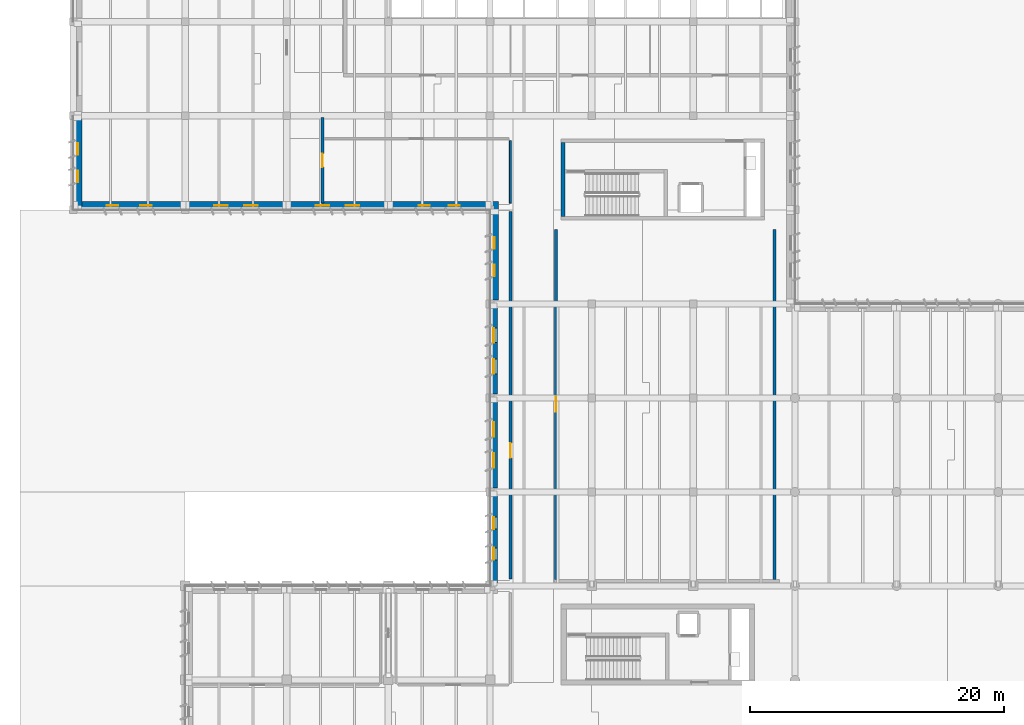
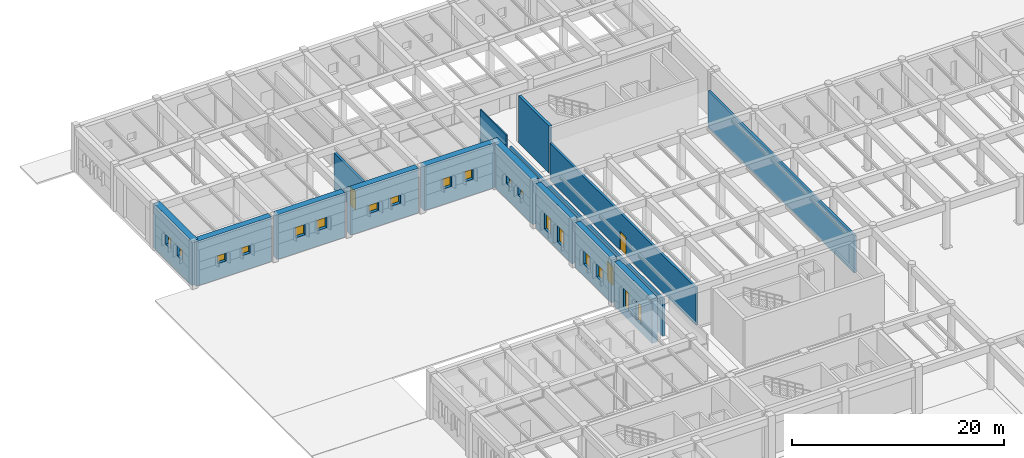
# One storey, part 21 of 56: 18 windows, 15 walls, 3 doors, 21 openings.
"""IFC4 building model written with IfcOpenShell, lengths in metres."""

import ifcopenshell
import ifcopenshell.guid

model = None  # the IFC model being written
_history = None  # IfcOwnerHistory: only IFC2X3 demands one
_inside = {}  # id of a spatial element -> (the spatial element, [elements in it])
_under = {}  # id of a project, library or spatial element -> (it, [spatial elements below it])
_declared = {}  # id of a project -> (the project, [libraries it declares])
_typed = {}  # id of a type object -> (the type object, [elements of that type])
_made_of = {}  # id of a material, layer set ... -> (it, [elements and type objects made of it])


def new_model(schema):
    """Start an empty IFC model of exactly this schema.

    Asked for "IFC4X3", IfcOpenShell would pick the latest addendum, in which some entities
    have other attributes; the version numbers below select the first issue.
    IFC2X3 requires an IfcOwnerHistory on every rooted entity: one is made here for all.
    """
    global model, _history
    if schema == "IFC4X3":
        model = ifcopenshell.file(schema_version=(4, 3, 0, 0))
    else:
        model = ifcopenshell.file(schema=schema)
    _inside.clear()
    _under.clear()
    _declared.clear()
    _typed.clear()
    _made_of.clear()
    _history = None
    if model.schema == "IFC2X3":
        org = make("IfcOrganization", Name="unknown")
        user = make(
            "IfcPersonAndOrganization",
            ThePerson=make("IfcPerson", FamilyName="unknown"),
            TheOrganization=org,
        )
        app = make(
            "IfcApplication",
            ApplicationDeveloper=org,
            Version="unknown",
            ApplicationFullName="unknown",
            ApplicationIdentifier="unknown",
        )
        _history = make(
            "IfcOwnerHistory",
            OwningUser=user,
            OwningApplication=app,
            ChangeAction="ADDED",
            CreationDate=0,
        )
    return model


def make(cls, **values):
    """One entity of the class cls with the attributes given. An attribute that is None is left unset."""
    return model.create_entity(
        cls, **{name: value for name, value in values.items() if value is not None}
    )


def rooted(cls, **values):
    """An entity with a GlobalId (a new one), such as an element, a storey or a relation."""
    return make(cls, GlobalId=ifcopenshell.guid.new(), OwnerHistory=_history, **values)


def si_unit(unit_type, name, prefix=None):
    """IfcSIUnit, for example si_unit("LENGTHUNIT", "METRE", prefix="MILLI")."""
    return make("IfcSIUnit", UnitType=unit_type, Prefix=prefix, Name=name)


def assignment(units):
    """IfcUnitAssignment: the units of a project."""
    return None if units is None else make("IfcUnitAssignment", Units=units)


def point(xyz):
    """IfcCartesianPoint."""
    return None if xyz is None else make("IfcCartesianPoint", Coordinates=xyz)


def direction(xyz):
    """IfcDirection."""
    return None if xyz is None else make("IfcDirection", DirectionRatios=xyz)


def frame(location, z_axis=None, x_axis=None):
    """IfcAxis2Placement3D, a coordinate frame: its origin and axes. An axis left out is left unset."""
    return make(
        "IfcAxis2Placement3D",
        Location=point(location),
        Axis=direction(z_axis),
        RefDirection=direction(x_axis),
    )


def frame_2d(location, x_axis=None):
    """IfcAxis2Placement2D, a coordinate frame in the plane: its origin and x axis."""
    return make(
        "IfcAxis2Placement2D", Location=point(location), RefDirection=direction(x_axis)
    )


def origin():
    """The frame at (0, 0, 0) with its axes left unset."""
    return frame((0.0, 0.0, 0.0))


def place(relative_to, where):
    """IfcLocalPlacement: puts the frame where relative to a parent placement (None: the world)."""
    return make(
        "IfcLocalPlacement", PlacementRelTo=relative_to, RelativePlacement=where
    )


def context(
    kind, dimensions, precision=None, world=None, true_north=None, identifier=None
):
    """IfcGeometricRepresentationContext, for example the 3D "Model" context."""
    return make(
        "IfcGeometricRepresentationContext",
        ContextIdentifier=identifier,
        ContextType=kind,
        CoordinateSpaceDimension=dimensions,
        Precision=precision,
        WorldCoordinateSystem=world,
        TrueNorth=true_north,
    )


def subcontext(parent, identifier, kind, view, scale=None):
    """IfcGeometricRepresentationSubContext, for example "Body" below "Model"."""
    return make(
        "IfcGeometricRepresentationSubContext",
        ContextIdentifier=identifier,
        ContextType=kind,
        ParentContext=parent,
        TargetScale=scale,
        TargetView=view,
    )


def project(units=None, contexts=None):
    """IfcProject with its units and contexts."""
    return rooted(
        "IfcProject",
        Name="project",
        RepresentationContexts=contexts,
        UnitsInContext=assignment(units),
    )


def spatial(cls, under=None, at=None, **own):
    """A site, building, storey or space (cls), placed at a placement, below another one or the project."""
    s = rooted(cls, ObjectPlacement=at, **own)
    if under is not None:
        _under.setdefault(under.id(), (under, []))[1].append(s)
    return s


def profile(cls, at=None, kind="AREA", **sizes):
    """A parametric profile (cls). Its sizes go by their IFC names, for example OverallWidth=200.0."""
    return make(cls, ProfileType=kind, Position=at, **sizes)


def rectangle(**sizes):
    """IfcRectangleProfileDef."""
    return profile("IfcRectangleProfileDef", **sizes)


def extrude(swept, where, along, depth):
    """IfcExtrudedAreaSolid: the profile swept, set in the frame where, extruded along a direction by depth."""
    return make(
        "IfcExtrudedAreaSolid",
        SweptArea=swept,
        Position=where,
        ExtrudedDirection=direction(along),
        Depth=depth,
    )


def shape(context_of_items, identifier, shape_type, items):
    """IfcShapeRepresentation: the items that make up one representation, for example the "Body"."""
    return make(
        "IfcShapeRepresentation",
        ContextOfItems=context_of_items,
        RepresentationIdentifier=identifier,
        RepresentationType=shape_type,
        Items=items,
    )


def material(Name=None, Category=None):
    """IfcMaterial."""
    return make("IfcMaterial", Name=Name, Category=Category)


def layer(
    of_material, thickness, ventilated=None, Name=None, Category=None, Priority=None
):
    """IfcMaterialLayer: one layer of a wall or slab, of a material (None: an air gap)."""
    return make(
        "IfcMaterialLayer",
        Material=of_material,
        LayerThickness=thickness,
        IsVentilated=ventilated,
        Name=Name,
        Category=Category,
        Priority=Priority,
    )


def layer_set(layers, Name=None):
    """IfcMaterialLayerSet."""
    return make("IfcMaterialLayerSet", MaterialLayers=layers, LayerSetName=Name)


def made_of(thing, what):
    """Note that an element or type object is made of a material, layer set ...; save() writes the relation."""
    if what is not None:
        _made_of.setdefault(what.id(), (what, []))[1].append(thing)
    return thing


def type_object(cls, material=None, **own):
    """A type object (cls), such as IfcWallType, which elements share."""
    return made_of(rooted(cls, **own), material)


def element(
    cls,
    number,
    at=None,
    inside=None,
    cuts=None,
    type_object=None,
    material=None,
    context=None,
    identifier="Body",
    shape_type=None,
    held_by="IfcProductDefinitionShape",
    body=None,
    shapes=None,
    **own,
):
    """One element of the class cls, such as IfcWall. Its Tag is "e" and its number.

    at: its placement. inside: the storey or other place that contains it. cuts: it is an
    opening in that element (IfcRelVoidsElement). A single representation is given by context,
    identifier, shape_type and body (its items); several are given by shapes. held_by: the class
    of the entity that holds the representations. save() writes the other relations.
    """
    e = rooted(cls, Tag="e%d" % number, ObjectPlacement=at, **own)
    if body is not None:
        shapes = [shape(context, identifier, shape_type, body)]
    if shapes is not None:
        e.Representation = make(held_by, Representations=shapes)
    if inside is not None:
        _inside.setdefault(inside.id(), (inside, []))[1].append(e)
    if cuts is not None:
        rooted(
            "IfcRelVoidsElement", RelatingBuildingElement=cuts, RelatedOpeningElement=e
        )
    if type_object is not None:
        _typed.setdefault(type_object.id(), (type_object, []))[1].append(e)
    return made_of(e, material)


def fill(opening, filler):
    """IfcRelFillsElement: the door or window that sits in an opening."""
    return rooted(
        "IfcRelFillsElement",
        RelatingOpeningElement=opening,
        RelatedBuildingElement=filler,
    )


def aggregate(whole, parts):
    """IfcRelAggregates: a whole, such as a stair, and the parts it consists of."""
    return rooted("IfcRelAggregates", RelatingObject=whole, RelatedObjects=parts)


def save(model, path):
    """Write the relations noted so far, then the file.

    IfcRelAggregates (storeys below a building ...), IfcRelContainedInSpatialStructure (elements
    in a storey), IfcRelDefinesByType, IfcRelAssociatesMaterial and IfcRelDeclares: one each for
    every whole, place, type object, material and project.
    """
    for whole, parts in _under.values():
        aggregate(whole, parts)
    for where, things in _inside.values():
        rooted(
            "IfcRelContainedInSpatialStructure",
            RelatedElements=things,
            RelatingStructure=where,
        )
    for kind, things in _typed.values():
        rooted("IfcRelDefinesByType", RelatedObjects=things, RelatingType=kind)
    for what, things in _made_of.values():
        rooted("IfcRelAssociatesMaterial", RelatedObjects=things, RelatingMaterial=what)
    for by, libraries in _declared.values():
        rooted("IfcRelDeclares", RelatingContext=by, RelatedDefinitions=libraries)
    model.write(path)


model = new_model("IFC4")

# Units and contexts
model_context = context("Model", 3, precision=1e-05, world=origin(), true_north=direction((0.0, 1.0)))
body_context = subcontext(model_context, "Body", "Model", "MODEL_VIEW")
ifc_project = project(units=[si_unit("LENGTHUNIT", "METRE"), si_unit("AREAUNIT", "SQUARE_METRE"), si_unit("VOLUMEUNIT", "CUBIC_METRE"), si_unit("PLANEANGLEUNIT", "RADIAN"), si_unit("MASSUNIT", "GRAM", prefix="KILO")], contexts=[model_context])

# Site, building, storey
site_placement = place(None, origin())
site = spatial("IfcSite", under=ifc_project, at=site_placement, CompositionType="ELEMENT")
building_placement = place(site_placement, origin())
building = spatial("IfcBuilding", under=site, at=building_placement, Name="Valkorina Park Police Headquarters", CompositionType="ELEMENT")
storey_placement = place(building_placement, origin())
storey = spatial("IfcBuildingStorey", under=building, at=storey_placement, Name="L01", CompositionType="ELEMENT", Elevation=0.0)

# Walls
ifc_material_1 = material(Name="Acoustic mineral board")
ifc_layer_1 = layer(ifc_material_1, 0.14990234375)
ifc_layer_set_1 = layer_set([ifc_layer_1], Name="Acoustic mineral board")
wall_type_1 = type_object("IfcWallType", Name="WL-ACOUST-150-EI30", PredefinedType="PARTITIONING", material=ifc_layer_set_1)
wall_1_placement = place(storey_placement, frame((34.39990234375, 89.340087890625, 0.0), z_axis=(0.0, 0.0, 1.0), x_axis=(0.0, 1.0, 0.0)))
element("IfcWall", 1, at=wall_1_placement, inside=storey, type_object=wall_type_1, Name="L01 Interior Partition 0079 (L01-CUS-05)", PredefinedType="PARTITIONING", context=body_context, shape_type="SweptSolid", body=[
    extrude(rectangle(XDim=4.919921875, YDim=0.14990234375, at=frame_2d((2.4599609375, 0.0))), origin(), (0.0, 0.0, 1.0), 5.139892578125),
])
ifc_material_2 = material(Name="Concrete C40/50", Category="concrete")
ifc_layer_2 = layer(ifc_material_2, 0.300048828125)
ifc_layer_set_2 = layer_set([ifc_layer_2], Name="Concrete C40/50")
wall_type_2 = type_object("IfcWallType", Name="WL-CORE-300-REI120", PredefinedType="SHEAR", material=ifc_layer_set_2)
wall_2_placement = place(storey_placement, frame((38.550048828125, 88.300048828125, 0.0), z_axis=(0.0, 0.0, 1.0), x_axis=(0.0, 1.0, 0.0)))
element("IfcWall", 2, at=wall_2_placement, inside=storey, type_object=wall_type_2, Name="Core C4 L01 Shear Wall W", PredefinedType="SHEAR", context=body_context, shape_type="SweptSolid", body=[
    extrude(rectangle(XDim=5.800048828125, YDim=0.300048828125, at=frame_2d((2.89990234375, 0.0))), origin(), (0.0, 0.0, 1.0), 5.39501953125),
])

# Wall, opening, door
ifc_layer_3 = layer(ifc_material_2, 0.25)
ifc_layer_set_3 = layer_set([ifc_layer_3], Name="Concrete C40/50")
wall_type_3 = type_object("IfcWallType", Name="WL-CUST-250-REI120", PredefinedType="SOLIDWALL", material=ifc_layer_set_3)
wall_3_placement = place(storey_placement, frame((19.60009765625, 89.340087890625, 0.0), z_axis=(0.0, 0.0, 1.0), x_axis=(0.0, 1.0, 0.0)))
wall_3 = element("IfcWall", 3, at=wall_3_placement, inside=storey, type_object=wall_type_3, Name="L01 Interior Partition 0077 (L01-CUS-04)", PredefinedType="SOLIDWALL", context=body_context, shape_type="SweptSolid", body=[
    extrude(rectangle(XDim=6.719970703125, YDim=0.25, at=frame_2d((3.35986328125, 0.0))), origin(), (0.0, 0.0, 1.0), 4.27001953125),
])
opening_1_placement = place(wall_3_placement, frame((2.8349609375, 0.0, 0.0)))
opening_1 = element("IfcOpeningElement", 4, at=opening_1_placement, cuts=wall_3, Name="Opening FD-01", PredefinedType="OPENING", context=body_context, shape_type="SweptSolid", body=[
    extrude(rectangle(XDim=1.050048828125, YDim=2.14990234375, at=frame_2d((0.52490234375, 1.074951171875))), frame((0.0, 0.135009765625, 0.0), z_axis=(0.0, -1.0, 0.0), x_axis=(1.0, 0.0, 0.0)), (0.0, 0.0, 1.0), 0.27001953125),
])
ifc_material_3 = material(Name="Galvanized steel door leaf", Category="steel")
ifc_layer_4 = layer(ifc_material_3, 0.050048828125)
ifc_layer_set_4 = layer_set([ifc_layer_4], Name="Galvanized steel door leaf")
door_type_1 = type_object("IfcDoorType", Name="DR-FIRE-CELL-1050x2150", OperationType="NOTDEFINED", PredefinedType="DOOR", material=ifc_layer_set_4)
door_1_placement = place(opening_1_placement, origin())
door_1 = element("IfcDoor", 5, at=door_1_placement, inside=storey, type_object=door_type_1, Name="Door D-L01-I035 (L01-CUS-04)", OperationType="SINGLE_SWING_RIGHT", OverallHeight=2.14990234375, OverallWidth=1.050048828125, PredefinedType="DOOR", context=body_context, shape_type="SweptSolid", body=[
    extrude(rectangle(XDim=1.050048828125, YDim=2.14990234375, at=frame_2d((0.52490234375, 1.074951171875))), frame((0.0, 0.02490234375, 0.0), z_axis=(0.0, -1.0, 0.0), x_axis=(1.0, 0.0, 0.0)), (0.0, 0.0, 1.0), 0.050048828125),
])
fill(opening_1, door_1)

wall_4_placement = place(storey_placement, frame((34.39990234375, 59.739990234375, 0.0), z_axis=(0.0, 0.0, 1.0), x_axis=(0.0, 1.0, 0.0)))
wall_4 = element("IfcWall", 6, at=wall_4_placement, inside=storey, type_object=wall_type_3, Name="L01 Interior Partition 0080 (L01-CUS-06)", PredefinedType="SOLIDWALL", context=body_context, shape_type="SweptSolid", body=[
    extrude(rectangle(XDim=28.919921875, YDim=0.25, at=frame_2d((14.4599609375, 0.0))), origin(), (0.0, 0.0, 1.0), 4.27001953125),
])
opening_2_placement = place(wall_4_placement, frame((9.547119140625, 0.0, 0.0)))
opening_2 = element("IfcOpeningElement", 7, at=opening_2_placement, cuts=wall_4, Name="Opening FD-02", PredefinedType="OPENING", context=body_context, shape_type="SweptSolid", body=[
    extrude(rectangle(XDim=1.14990234375, YDim=2.14990234375, at=frame_2d((0.574951171875, 1.074951171875))), frame((0.0, 0.135009765625, 0.0), z_axis=(0.0, -1.0, 0.0), x_axis=(1.0, 0.0, 0.0)), (0.0, 0.0, 1.0), 0.27001953125),
])
ifc_layer_5 = layer(ifc_material_3, 0.050048828125)
ifc_layer_set_5 = layer_set([ifc_layer_5], Name="Galvanized steel door leaf")
door_type_2 = type_object("IfcDoorType", Name="DR-FIRE-CUST-1150x2150", OperationType="NOTDEFINED", PredefinedType="DOOR", material=ifc_layer_set_5)
door_2_placement = place(opening_2_placement, origin())
door_2 = element("IfcDoor", 8, at=door_2_placement, inside=storey, type_object=door_type_2, Name="Door D-L01-I037 (L01-CUS-06)", OperationType="SINGLE_SWING_RIGHT", OverallHeight=2.14990234375, OverallWidth=1.14990234375, PredefinedType="DOOR", context=body_context, shape_type="SweptSolid", body=[
    extrude(rectangle(XDim=1.14990234375, YDim=2.14990234375, at=frame_2d((0.574951171875, 1.074951171875))), frame((0.0, 0.02490234375, 0.0), z_axis=(0.0, -1.0, 0.0), x_axis=(1.0, 0.0, 0.0)), (0.0, 0.0, 1.0), 0.050048828125),
])
fill(opening_2, door_2)

wall_5_placement = place(storey_placement, frame((38.0, 59.72509765625, 0.0), z_axis=(0.0, 0.0, 1.0), x_axis=(0.0, 1.0, 0.0)))
wall_5 = element("IfcWall", 9, at=wall_5_placement, inside=storey, type_object=wall_type_3, Name="L01 Interior Partition 0082 (L01-CUS-07)", PredefinedType="SOLIDWALL", context=body_context, shape_type="SweptSolid", body=[
    extrude(rectangle(XDim=27.534912109375, YDim=0.25, at=frame_2d((13.767578125, 0.0))), origin(), (0.0, 0.0, 1.0), 4.27001953125),
])
opening_3_placement = place(wall_5_placement, frame((13.199951171875, 0.0, 0.0)))
opening_3 = element("IfcOpeningElement", 10, at=opening_3_placement, cuts=wall_5, Name="Opening FD-02", PredefinedType="OPENING", context=body_context, shape_type="SweptSolid", body=[
    extrude(rectangle(XDim=1.14990234375, YDim=2.14990234375, at=frame_2d((0.574951171875, 1.074951171875))), frame((0.0, 0.135009765625, 0.0), z_axis=(0.0, -1.0, 0.0), x_axis=(1.0, 0.0, 0.0)), (0.0, 0.0, 1.0), 0.27001953125),
])
door_3_placement = place(opening_3_placement, origin())
door_3 = element("IfcDoor", 11, at=door_3_placement, inside=storey, type_object=door_type_2, Name="Door D-L01-I038 (L01-CUS-07)", OperationType="SINGLE_SWING_LEFT", OverallHeight=2.14990234375, OverallWidth=1.14990234375, PredefinedType="DOOR", context=body_context, shape_type="SweptSolid", body=[
    extrude(rectangle(XDim=1.14990234375, YDim=2.14990234375, at=frame_2d((0.574951171875, 1.074951171875))), frame((0.0, 0.02490234375, 0.0), z_axis=(0.0, -1.0, 0.0), x_axis=(1.0, 0.0, 0.0)), (0.0, 0.0, 1.0), 0.050048828125),
])
fill(opening_3, door_3)

# Wall
wall_6_placement = place(storey_placement, frame((55.199951171875, 59.72509765625, 0.0), z_axis=(0.0, 0.0, 1.0), x_axis=(0.0, 1.0, 0.0)))
element("IfcWall", 12, at=wall_6_placement, inside=storey, type_object=wall_type_3, Name="L01 Interior Partition 0083 (L01-CUS-07)", PredefinedType="SOLIDWALL", context=body_context, shape_type="SweptSolid", body=[
    extrude(rectangle(XDim=27.534912109375, YDim=0.25, at=frame_2d((13.767578125, 0.0))), origin(), (0.0, 0.0, 1.0), 4.27001953125),
])

# Wall, openings, windows
ifc_material_4 = material(Name="Concrete C35/45", Category="concrete")
ifc_layer_6 = layer(ifc_material_4, 0.580078125)
ifc_layer_set_6 = layer_set([ifc_layer_6], Name="Concrete C35/45")
wall_type_4 = type_object("IfcWallType", Name="WL-EXT-BOARD-580", PredefinedType="STANDARD", material=ifc_layer_set_6)
wall_7_placement = place(storey_placement, frame((33.090087890625, 59.199951171875, 0.0), z_axis=(0.0, 0.0, 1.0), x_axis=(0.0, 1.0, 0.0)))
wall_7 = element("IfcWall", 13, at=wall_7_placement, inside=storey, type_object=wall_type_4, Name="L01 Architectural Concrete Exterior Wall 0013", PredefinedType="STANDARD", context=body_context, shape_type="SweptSolid", body=[
    extrude(rectangle(XDim=7.090087890625, YDim=0.580078125, at=frame_2d((3.544921875, 0.0))), origin(), (0.0, 0.0, 1.0), 5.139892578125),
])
opening_4_placement = place(wall_7_placement, frame((2.0556640625, 0.0, 0.89990234375)))
opening_4 = element("IfcOpeningElement", 14, at=opening_4_placement, cuts=wall_7, Name="Opening WN-18", PredefinedType="OPENING", context=body_context, shape_type="SweptSolid", body=[
    extrude(rectangle(XDim=0.949951171875, YDim=2.199951171875, at=frame_2d((0.47509765625, 1.10009765625))), frame((0.0, 0.300048828125, 0.0), z_axis=(0.0, -1.0, 0.0), x_axis=(1.0, 0.0, 0.0)), (0.0, 0.0, 1.0), 0.60009765625),
])
opening_5_placement = place(wall_7_placement, frame((4.469482421875, 0.0, 0.89990234375)))
opening_5 = element("IfcOpeningElement", 15, at=opening_5_placement, cuts=wall_7, Name="Opening WN-18", PredefinedType="OPENING", context=body_context, shape_type="SweptSolid", body=[
    extrude(rectangle(XDim=0.949951171875, YDim=2.199951171875, at=frame_2d((0.47509765625, 1.10009765625))), frame((0.0, 0.300048828125, 0.0), z_axis=(0.0, -1.0, 0.0), x_axis=(1.0, 0.0, 0.0)), (0.0, 0.0, 1.0), 0.60009765625),
])
ifc_material_5 = material(Name="Triple low-E insulated glazing", Category="glass")
ifc_layer_7 = layer(ifc_material_5, 0.06005859375)
ifc_layer_set_7 = layer_set([ifc_layer_7], Name="Triple low-E insulated glazing")
window_type_1 = type_object("IfcWindowType", Name="WN-SLOT-950x2200", PartitioningType="SINGLE_PANEL", PredefinedType="WINDOW", material=ifc_layer_set_7)
window_1_placement = place(opening_4_placement, origin())
window_1 = element("IfcWindow", 16, at=window_1_placement, inside=storey, type_object=window_type_1, Name="Window L01-0023", OverallHeight=2.199951171875, OverallWidth=0.949951171875, PartitioningType="SINGLE_PANEL", PredefinedType="WINDOW", context=body_context, shape_type="SweptSolid", body=[
    extrude(rectangle(XDim=0.949951171875, YDim=2.199951171875, at=frame_2d((0.47509765625, 1.10009765625))), frame((0.0, 0.030029296875, 0.0), z_axis=(0.0, -1.0, 0.0), x_axis=(1.0, 0.0, 0.0)), (0.0, 0.0, 1.0), 0.06005859375),
])
fill(opening_4, window_1)
window_2_placement = place(opening_5_placement, origin())
window_2 = element("IfcWindow", 17, at=window_2_placement, inside=storey, type_object=window_type_1, Name="Window L01-0024", OverallHeight=2.199951171875, OverallWidth=0.949951171875, PartitioningType="SINGLE_PANEL", PredefinedType="WINDOW", context=body_context, shape_type="SweptSolid", body=[
    extrude(rectangle(XDim=0.949951171875, YDim=2.199951171875, at=frame_2d((0.47509765625, 1.10009765625))), frame((0.0, 0.030029296875, 0.0), z_axis=(0.0, -1.0, 0.0), x_axis=(1.0, 0.0, 0.0)), (0.0, 0.0, 1.0), 0.06005859375),
])
fill(opening_5, window_2)

wall_8_placement = place(storey_placement, frame((33.090087890625, 66.909912109375, 0.0), z_axis=(0.0, 0.0, 1.0), x_axis=(0.0, 1.0, 0.0)))
wall_8 = element("IfcWall", 18, at=wall_8_placement, inside=storey, type_object=wall_type_4, Name="L01 Architectural Concrete Exterior Wall 0014", PredefinedType="STANDARD", context=body_context, shape_type="SweptSolid", body=[
    extrude(rectangle(XDim=6.780029296875, YDim=0.580078125, at=frame_2d((3.39013671875, 0.0))), origin(), (0.0, 0.0, 1.0), 5.139892578125),
])
opening_6_placement = place(wall_8_placement, frame((1.594482421875, 0.0, 1.35009765625)))
opening_6 = element("IfcOpeningElement", 19, at=opening_6_placement, cuts=wall_8, Name="Opening WN-19", PredefinedType="OPENING", context=body_context, shape_type="SweptSolid", body=[
    extrude(rectangle(XDim=1.14990234375, YDim=1.5, at=frame_2d((0.574951171875, 0.75))), frame((0.0, 0.300048828125, 0.0), z_axis=(0.0, -1.0, 0.0), x_axis=(1.0, 0.0, 0.0)), (0.0, 0.0, 1.0), 0.60009765625),
])
opening_7_placement = place(wall_8_placement, frame((4.035400390625, 0.0, 1.35009765625)))
opening_7 = element("IfcOpeningElement", 20, at=opening_7_placement, cuts=wall_8, Name="Opening WN-19", PredefinedType="OPENING", context=body_context, shape_type="SweptSolid", body=[
    extrude(rectangle(XDim=1.14990234375, YDim=1.5, at=frame_2d((0.574951171875, 0.75))), frame((0.0, 0.300048828125, 0.0), z_axis=(0.0, -1.0, 0.0), x_axis=(1.0, 0.0, 0.0)), (0.0, 0.0, 1.0), 0.60009765625),
])
ifc_layer_8 = layer(ifc_material_5, 0.06005859375)
ifc_layer_set_8 = layer_set([ifc_layer_8], Name="Triple low-E insulated glazing")
window_type_2 = type_object("IfcWindowType", Name="WN-LAB-1150x1500", PartitioningType="SINGLE_PANEL", PredefinedType="WINDOW", material=ifc_layer_set_8)
window_3_placement = place(opening_6_placement, origin())
window_3 = element("IfcWindow", 21, at=window_3_placement, inside=storey, type_object=window_type_2, Name="Window L01-0025", OverallHeight=1.5, OverallWidth=1.14990234375, PartitioningType="SINGLE_PANEL", PredefinedType="WINDOW", context=body_context, shape_type="SweptSolid", body=[
    extrude(rectangle(XDim=1.14990234375, YDim=1.5, at=frame_2d((0.574951171875, 0.75))), frame((0.0, 0.030029296875, 0.0), z_axis=(0.0, -1.0, 0.0), x_axis=(1.0, 0.0, 0.0)), (0.0, 0.0, 1.0), 0.06005859375),
])
fill(opening_6, window_3)
window_4_placement = place(opening_7_placement, origin())
window_4 = element("IfcWindow", 22, at=window_4_placement, inside=storey, type_object=window_type_2, Name="Window L01-0026", OverallHeight=1.5, OverallWidth=1.14990234375, PartitioningType="SINGLE_PANEL", PredefinedType="WINDOW", context=body_context, shape_type="SweptSolid", body=[
    extrude(rectangle(XDim=1.14990234375, YDim=1.5, at=frame_2d((0.574951171875, 0.75))), frame((0.0, 0.030029296875, 0.0), z_axis=(0.0, -1.0, 0.0), x_axis=(1.0, 0.0, 0.0)), (0.0, 0.0, 1.0), 0.06005859375),
])
fill(opening_7, window_4)

wall_9_placement = place(storey_placement, frame((33.090087890625, 74.31005859375, 0.0), z_axis=(0.0, 0.0, 1.0), x_axis=(0.0, 1.0, 0.0)))
wall_9 = element("IfcWall", 23, at=wall_9_placement, inside=storey, type_object=wall_type_4, Name="L01 Architectural Concrete Exterior Wall 0015", PredefinedType="STANDARD", context=body_context, shape_type="SweptSolid", body=[
    extrude(rectangle(XDim=6.780029296875, YDim=0.580078125, at=frame_2d((3.39013671875, 0.0))), origin(), (0.0, 0.0, 1.0), 5.139892578125),
])
opening_8_placement = place(wall_9_placement, frame((1.594482421875, 0.0, 0.89990234375)))
opening_8 = element("IfcOpeningElement", 24, at=opening_8_placement, cuts=wall_9, Name="Opening WN-20", PredefinedType="OPENING", context=body_context, shape_type="SweptSolid", body=[
    extrude(rectangle(XDim=1.14990234375, YDim=1.85009765625, at=frame_2d((0.574951171875, 0.925048828125))), frame((0.0, 0.300048828125, 0.0), z_axis=(0.0, -1.0, 0.0), x_axis=(1.0, 0.0, 0.0)), (0.0, 0.0, 1.0), 0.60009765625),
])
opening_9_placement = place(wall_9_placement, frame((4.035400390625, 0.0, 0.89990234375)))
opening_9 = element("IfcOpeningElement", 25, at=opening_9_placement, cuts=wall_9, Name="Opening WN-20", PredefinedType="OPENING", context=body_context, shape_type="SweptSolid", body=[
    extrude(rectangle(XDim=1.14990234375, YDim=1.85009765625, at=frame_2d((0.574951171875, 0.925048828125))), frame((0.0, 0.300048828125, 0.0), z_axis=(0.0, -1.0, 0.0), x_axis=(1.0, 0.0, 0.0)), (0.0, 0.0, 1.0), 0.60009765625),
])
ifc_layer_9 = layer(ifc_material_5, 0.06005859375)
ifc_layer_set_9 = layer_set([ifc_layer_9], Name="Triple low-E insulated glazing")
window_type_3 = type_object("IfcWindowType", Name="WN-LAB-1150x1850", PartitioningType="SINGLE_PANEL", PredefinedType="WINDOW", material=ifc_layer_set_9)
window_5_placement = place(opening_8_placement, origin())
window_5 = element("IfcWindow", 26, at=window_5_placement, inside=storey, type_object=window_type_3, Name="Window L01-0027", OverallHeight=1.85009765625, OverallWidth=1.14990234375, PartitioningType="SINGLE_PANEL", PredefinedType="WINDOW", context=body_context, shape_type="SweptSolid", body=[
    extrude(rectangle(XDim=1.14990234375, YDim=1.85009765625, at=frame_2d((0.574951171875, 0.925048828125))), frame((0.0, 0.030029296875, 0.0), z_axis=(0.0, -1.0, 0.0), x_axis=(1.0, 0.0, 0.0)), (0.0, 0.0, 1.0), 0.06005859375),
])
fill(opening_8, window_5)
window_6_placement = place(opening_9_placement, origin())
window_6 = element("IfcWindow", 27, at=window_6_placement, inside=storey, type_object=window_type_3, Name="Window L01-0028", OverallHeight=1.85009765625, OverallWidth=1.14990234375, PartitioningType="SINGLE_PANEL", PredefinedType="WINDOW", context=body_context, shape_type="SweptSolid", body=[
    extrude(rectangle(XDim=1.14990234375, YDim=1.85009765625, at=frame_2d((0.574951171875, 0.925048828125))), frame((0.0, 0.030029296875, 0.0), z_axis=(0.0, -1.0, 0.0), x_axis=(1.0, 0.0, 0.0)), (0.0, 0.0, 1.0), 0.06005859375),
])
fill(opening_9, window_6)

ifc_material_6 = material(Name="Precast concrete C40/50", Category="concrete")
ifc_layer_10 = layer(ifc_material_6, 0.679931640625)
ifc_layer_set_10 = layer_set([ifc_layer_10], Name="Precast concrete C40/50")
wall_type_5 = type_object("IfcWallType", Name="WL-EXT-DOLOMITE-680", PredefinedType="SOLIDWALL", material=ifc_layer_set_10)
wall_10_placement = place(storey_placement, frame((33.139892578125, 81.7099609375, 0.0), z_axis=(0.0, 0.0, 1.0), x_axis=(0.0, 1.0, 0.0)))
wall_10 = element("IfcWall", 28, at=wall_10_placement, inside=storey, type_object=wall_type_5, Name="L01 Architectural Concrete Exterior Wall 0016", PredefinedType="SOLIDWALL", context=body_context, shape_type="SweptSolid", body=[
    extrude(rectangle(XDim=7.77001953125, YDim=0.679931640625, at=frame_2d((3.885009765625, 0.0))), origin(), (0.0, 0.0, 1.0), 5.139892578125),
])
opening_10_placement = place(wall_10_placement, frame((1.855224609375, 0.0, 1.800048828125)))
opening_10 = element("IfcOpeningElement", 29, at=opening_10_placement, cuts=wall_10, Name="Opening WN-13", PredefinedType="OPENING", context=body_context, shape_type="SweptSolid", body=[
    extrude(rectangle(XDim=0.89990234375, YDim=0.89990234375, at=frame_2d((0.449951171875, 0.449951171875))), frame((0.0, 0.35009765625, 0.0), z_axis=(0.0, -1.0, 0.0), x_axis=(1.0, 0.0, 0.0)), (0.0, 0.0, 1.0), 0.699951171875),
])
opening_11_placement = place(wall_10_placement, frame((4.02490234375, 0.0, 1.800048828125)))
opening_11 = element("IfcOpeningElement", 30, at=opening_11_placement, cuts=wall_10, Name="Opening WN-13", PredefinedType="OPENING", context=body_context, shape_type="SweptSolid", body=[
    extrude(rectangle(XDim=0.89990234375, YDim=0.89990234375, at=frame_2d((0.449951171875, 0.449951171875))), frame((0.0, 0.35009765625, 0.0), z_axis=(0.0, -1.0, 0.0), x_axis=(1.0, 0.0, 0.0)), (0.0, 0.0, 1.0), 0.699951171875),
])
ifc_material_7 = material(Name="Ballistic laminated glazing BR4-NS", Category="glass")
ifc_layer_11 = layer(ifc_material_7, 0.06005859375)
ifc_layer_set_11 = layer_set([ifc_layer_11], Name="Ballistic laminated glazing BR4-NS")
window_type_4 = type_object("IfcWindowType", Name="WN-CUST-900x900", PartitioningType="SINGLE_PANEL", PredefinedType="WINDOW", material=ifc_layer_set_11)
window_7_placement = place(opening_10_placement, origin())
window_7 = element("IfcWindow", 31, at=window_7_placement, inside=storey, type_object=window_type_4, Name="Window L01-0029", OverallHeight=0.89990234375, OverallWidth=0.89990234375, PartitioningType="SINGLE_PANEL", PredefinedType="WINDOW", context=body_context, shape_type="SweptSolid", body=[
    extrude(rectangle(XDim=0.89990234375, YDim=0.89990234375, at=frame_2d((0.449951171875, 0.449951171875))), frame((0.0, 0.030029296875, 0.0), z_axis=(0.0, -1.0, 0.0), x_axis=(1.0, 0.0, 0.0)), (0.0, 0.0, 1.0), 0.06005859375),
])
fill(opening_10, window_7)
window_8_placement = place(opening_11_placement, origin())
window_8 = element("IfcWindow", 32, at=window_8_placement, inside=storey, type_object=window_type_4, Name="Window L01-0030", OverallHeight=0.89990234375, OverallWidth=0.89990234375, PartitioningType="SINGLE_PANEL", PredefinedType="WINDOW", context=body_context, shape_type="SweptSolid", body=[
    extrude(rectangle(XDim=0.89990234375, YDim=0.89990234375, at=frame_2d((0.449951171875, 0.449951171875))), frame((0.0, 0.030029296875, 0.0), z_axis=(0.0, -1.0, 0.0), x_axis=(1.0, 0.0, 0.0)), (0.0, 0.0, 1.0), 0.06005859375),
])
fill(opening_11, window_8)

wall_11_placement = place(storey_placement, frame((32.800048828125, 89.139892578125, 0.0), z_axis=(0.0, 0.0, 1.0), x_axis=(-1.0, 0.0, 0.0)))
wall_11 = element("IfcWall", 33, at=wall_11_placement, inside=storey, type_object=wall_type_5, Name="L01 Architectural Concrete Exterior Wall 0017", PredefinedType="SOLIDWALL", context=body_context, shape_type="SweptSolid", body=[
    extrude(rectangle(XDim=7.68994140625, YDim=0.679931640625, at=frame_2d((3.844970703125, 0.0))), origin(), (0.0, 0.0, 1.0), 5.139892578125),
])
opening_12_placement = place(wall_11_placement, frame((2.369140625, 0.0, 1.800048828125)))
opening_12 = element("IfcOpeningElement", 34, at=opening_12_placement, cuts=wall_11, Name="Opening WN-14", PredefinedType="OPENING", context=body_context, shape_type="SweptSolid", body=[
    extrude(rectangle(XDim=0.89990234375, YDim=1.14990234375, at=frame_2d((0.449951171875, 0.574951171875))), frame((0.0, 0.35009765625, 0.0), z_axis=(0.0, -1.0, 0.0), x_axis=(1.0, 0.0, 0.0)), (0.0, 0.0, 1.0), 0.699951171875),
])
opening_13_placement = place(wall_11_placement, frame((4.730712890625, 0.0, 1.800048828125)))
opening_13 = element("IfcOpeningElement", 35, at=opening_13_placement, cuts=wall_11, Name="Opening WN-14", PredefinedType="OPENING", context=body_context, shape_type="SweptSolid", body=[
    extrude(rectangle(XDim=0.89990234375, YDim=1.14990234375, at=frame_2d((0.449951171875, 0.574951171875))), frame((0.0, 0.35009765625, 0.0), z_axis=(0.0, -1.0, 0.0), x_axis=(1.0, 0.0, 0.0)), (0.0, 0.0, 1.0), 0.699951171875),
])
ifc_layer_12 = layer(ifc_material_7, 0.06005859375)
ifc_layer_set_12 = layer_set([ifc_layer_12], Name="Ballistic laminated glazing BR4-NS")
window_type_5 = type_object("IfcWindowType", Name="WN-CUST-900x1150", PartitioningType="SINGLE_PANEL", PredefinedType="WINDOW", material=ifc_layer_set_12)
window_9_placement = place(opening_12_placement, origin())
window_9 = element("IfcWindow", 36, at=window_9_placement, inside=storey, type_object=window_type_5, Name="Window L01-0031", OverallHeight=1.14990234375, OverallWidth=0.89990234375, PartitioningType="SINGLE_PANEL", PredefinedType="WINDOW", context=body_context, shape_type="SweptSolid", body=[
    extrude(rectangle(XDim=0.89990234375, YDim=1.14990234375, at=frame_2d((0.449951171875, 0.574951171875))), frame((0.0, 0.030029296875, 0.0), z_axis=(0.0, -1.0, 0.0), x_axis=(1.0, 0.0, 0.0)), (0.0, 0.0, 1.0), 0.06005859375),
])
fill(opening_12, window_9)
window_10_placement = place(opening_13_placement, origin())
window_10 = element("IfcWindow", 37, at=window_10_placement, inside=storey, type_object=window_type_5, Name="Window L01-0032", OverallHeight=1.14990234375, OverallWidth=0.89990234375, PartitioningType="SINGLE_PANEL", PredefinedType="WINDOW", context=body_context, shape_type="SweptSolid", body=[
    extrude(rectangle(XDim=0.89990234375, YDim=1.14990234375, at=frame_2d((0.449951171875, 0.574951171875))), frame((0.0, 0.030029296875, 0.0), z_axis=(0.0, -1.0, 0.0), x_axis=(1.0, 0.0, 0.0)), (0.0, 0.0, 1.0), 0.06005859375),
])
fill(opening_13, window_10)

wall_12_placement = place(storey_placement, frame((24.489990234375, 89.139892578125, 0.0), z_axis=(0.0, 0.0, 1.0), x_axis=(-1.0, 0.0, 0.0)))
wall_12 = element("IfcWall", 38, at=wall_12_placement, inside=storey, type_object=wall_type_5, Name="L01 Architectural Concrete Exterior Wall 0018", PredefinedType="SOLIDWALL", context=body_context, shape_type="SweptSolid", body=[
    extrude(rectangle(XDim=7.3798828125, YDim=0.679931640625, at=frame_2d((3.68994140625, 0.0))), origin(), (0.0, 0.0, 1.0), 5.139892578125),
])
opening_14_placement = place(wall_12_placement, frame((1.984130859375, 0.0, 1.800048828125)))
opening_14 = element("IfcOpeningElement", 39, at=opening_14_placement, cuts=wall_12, Name="Opening WN-15", PredefinedType="OPENING", context=body_context, shape_type="SweptSolid", body=[
    extrude(rectangle(XDim=1.050048828125, YDim=0.949951171875, at=frame_2d((0.52490234375, 0.47509765625))), frame((0.0, 0.35009765625, 0.0), z_axis=(0.0, -1.0, 0.0), x_axis=(1.0, 0.0, 0.0)), (0.0, 0.0, 1.0), 0.699951171875),
])
opening_15_placement = place(wall_12_placement, frame((4.345703125, 0.0, 1.800048828125)))
opening_15 = element("IfcOpeningElement", 40, at=opening_15_placement, cuts=wall_12, Name="Opening WN-15", PredefinedType="OPENING", context=body_context, shape_type="SweptSolid", body=[
    extrude(rectangle(XDim=1.050048828125, YDim=0.949951171875, at=frame_2d((0.52490234375, 0.47509765625))), frame((0.0, 0.35009765625, 0.0), z_axis=(0.0, -1.0, 0.0), x_axis=(1.0, 0.0, 0.0)), (0.0, 0.0, 1.0), 0.699951171875),
])
ifc_layer_13 = layer(ifc_material_7, 0.06005859375)
ifc_layer_set_13 = layer_set([ifc_layer_13], Name="Ballistic laminated glazing BR4-NS")
window_type_6 = type_object("IfcWindowType", Name="WN-CUST-1050x950", PartitioningType="SINGLE_PANEL", PredefinedType="WINDOW", material=ifc_layer_set_13)
window_11_placement = place(opening_14_placement, origin())
window_11 = element("IfcWindow", 41, at=window_11_placement, inside=storey, type_object=window_type_6, Name="Window L01-0033", OverallHeight=0.949951171875, OverallWidth=1.050048828125, PartitioningType="SINGLE_PANEL", PredefinedType="WINDOW", context=body_context, shape_type="SweptSolid", body=[
    extrude(rectangle(XDim=1.050048828125, YDim=0.949951171875, at=frame_2d((0.52490234375, 0.47509765625))), frame((0.0, 0.030029296875, 0.0), z_axis=(0.0, -1.0, 0.0), x_axis=(1.0, 0.0, 0.0)), (0.0, 0.0, 1.0), 0.06005859375),
])
fill(opening_14, window_11)
window_12_placement = place(opening_15_placement, origin())
window_12 = element("IfcWindow", 42, at=window_12_placement, inside=storey, type_object=window_type_6, Name="Window L01-0034", OverallHeight=0.949951171875, OverallWidth=1.050048828125, PartitioningType="SINGLE_PANEL", PredefinedType="WINDOW", context=body_context, shape_type="SweptSolid", body=[
    extrude(rectangle(XDim=1.050048828125, YDim=0.949951171875, at=frame_2d((0.52490234375, 0.47509765625))), frame((0.0, 0.030029296875, 0.0), z_axis=(0.0, -1.0, 0.0), x_axis=(1.0, 0.0, 0.0)), (0.0, 0.0, 1.0), 0.06005859375),
])
fill(opening_15, window_12)

wall_13_placement = place(storey_placement, frame((16.489990234375, 89.139892578125, 0.0), z_axis=(0.0, 0.0, 1.0), x_axis=(-1.0, 0.0, 0.0)))
wall_13 = element("IfcWall", 43, at=wall_13_placement, inside=storey, type_object=wall_type_5, Name="L01 Architectural Concrete Exterior Wall 0019", PredefinedType="SOLIDWALL", context=body_context, shape_type="SweptSolid", body=[
    extrude(rectangle(XDim=7.3798828125, YDim=0.679931640625, at=frame_2d((3.68994140625, 0.0))), origin(), (0.0, 0.0, 1.0), 5.139892578125),
])
opening_16_placement = place(wall_13_placement, frame((1.984130859375, 0.0, 1.800048828125)))
opening_16 = element("IfcOpeningElement", 44, at=opening_16_placement, cuts=wall_13, Name="Opening WN-16", PredefinedType="OPENING", context=body_context, shape_type="SweptSolid", body=[
    extrude(rectangle(XDim=1.050048828125, YDim=1.199951171875, at=frame_2d((0.52490234375, 0.60009765625))), frame((0.0, 0.35009765625, 0.0), z_axis=(0.0, -1.0, 0.0), x_axis=(1.0, 0.0, 0.0)), (0.0, 0.0, 1.0), 0.699951171875),
])
opening_17_placement = place(wall_13_placement, frame((4.345703125, 0.0, 1.800048828125)))
opening_17 = element("IfcOpeningElement", 45, at=opening_17_placement, cuts=wall_13, Name="Opening WN-16", PredefinedType="OPENING", context=body_context, shape_type="SweptSolid", body=[
    extrude(rectangle(XDim=1.050048828125, YDim=1.199951171875, at=frame_2d((0.52490234375, 0.60009765625))), frame((0.0, 0.35009765625, 0.0), z_axis=(0.0, -1.0, 0.0), x_axis=(1.0, 0.0, 0.0)), (0.0, 0.0, 1.0), 0.699951171875),
])
ifc_layer_14 = layer(ifc_material_7, 0.06005859375)
ifc_layer_set_14 = layer_set([ifc_layer_14], Name="Ballistic laminated glazing BR4-NS")
window_type_7 = type_object("IfcWindowType", Name="WN-CUST-1050x1200", PartitioningType="SINGLE_PANEL", PredefinedType="WINDOW", material=ifc_layer_set_14)
window_13_placement = place(opening_16_placement, origin())
window_13 = element("IfcWindow", 46, at=window_13_placement, inside=storey, type_object=window_type_7, Name="Window L01-0035", OverallHeight=1.199951171875, OverallWidth=1.050048828125, PartitioningType="SINGLE_PANEL", PredefinedType="WINDOW", context=body_context, shape_type="SweptSolid", body=[
    extrude(rectangle(XDim=1.050048828125, YDim=1.199951171875, at=frame_2d((0.52490234375, 0.60009765625))), frame((0.0, 0.030029296875, 0.0), z_axis=(0.0, -1.0, 0.0), x_axis=(1.0, 0.0, 0.0)), (0.0, 0.0, 1.0), 0.06005859375),
])
fill(opening_16, window_13)
window_14_placement = place(opening_17_placement, origin())
window_14 = element("IfcWindow", 47, at=window_14_placement, inside=storey, type_object=window_type_7, Name="Window L01-0036", OverallHeight=1.199951171875, OverallWidth=1.050048828125, PartitioningType="SINGLE_PANEL", PredefinedType="WINDOW", context=body_context, shape_type="SweptSolid", body=[
    extrude(rectangle(XDim=1.050048828125, YDim=1.199951171875, at=frame_2d((0.52490234375, 0.60009765625))), frame((0.0, 0.030029296875, 0.0), z_axis=(0.0, -1.0, 0.0), x_axis=(1.0, 0.0, 0.0)), (0.0, 0.0, 1.0), 0.06005859375),
])
fill(opening_17, window_14)

wall_14_placement = place(storey_placement, frame((8.489990234375, 89.139892578125, 0.0), z_axis=(0.0, 0.0, 1.0), x_axis=(-1.0, 0.0, 0.0)))
wall_14 = element("IfcWall", 48, at=wall_14_placement, inside=storey, type_object=wall_type_5, Name="L01 Architectural Concrete Exterior Wall 0020", PredefinedType="SOLIDWALL", context=body_context, shape_type="SweptSolid", body=[
    extrude(rectangle(XDim=8.179931640625, YDim=0.679931640625, at=frame_2d((4.08984375, 0.0))), origin(), (0.0, 0.0, 1.0), 5.139892578125),
])
opening_18_placement = place(wall_14_placement, frame((2.331298828125, 0.0, 1.800048828125)))
opening_18 = element("IfcOpeningElement", 49, at=opening_18_placement, cuts=wall_14, Name="Opening WN-13", PredefinedType="OPENING", context=body_context, shape_type="SweptSolid", body=[
    extrude(rectangle(XDim=0.89990234375, YDim=0.89990234375, at=frame_2d((0.449951171875, 0.449951171875))), frame((0.0, 0.35009765625, 0.0), z_axis=(0.0, -1.0, 0.0), x_axis=(1.0, 0.0, 0.0)), (0.0, 0.0, 1.0), 0.699951171875),
])
opening_19_placement = place(wall_14_placement, frame((4.94873046875, 0.0, 1.800048828125)))
opening_19 = element("IfcOpeningElement", 50, at=opening_19_placement, cuts=wall_14, Name="Opening WN-13", PredefinedType="OPENING", context=body_context, shape_type="SweptSolid", body=[
    extrude(rectangle(XDim=0.89990234375, YDim=0.89990234375, at=frame_2d((0.449951171875, 0.449951171875))), frame((0.0, 0.35009765625, 0.0), z_axis=(0.0, -1.0, 0.0), x_axis=(1.0, 0.0, 0.0)), (0.0, 0.0, 1.0), 0.699951171875),
])
window_15_placement = place(opening_18_placement, origin())
window_15 = element("IfcWindow", 51, at=window_15_placement, inside=storey, type_object=window_type_4, Name="Window L01-0037", OverallHeight=0.89990234375, OverallWidth=0.89990234375, PartitioningType="SINGLE_PANEL", PredefinedType="WINDOW", context=body_context, shape_type="SweptSolid", body=[
    extrude(rectangle(XDim=0.89990234375, YDim=0.89990234375, at=frame_2d((0.449951171875, 0.449951171875))), frame((0.0, 0.030029296875, 0.0), z_axis=(0.0, -1.0, 0.0), x_axis=(1.0, 0.0, 0.0)), (0.0, 0.0, 1.0), 0.06005859375),
])
fill(opening_18, window_15)
window_16_placement = place(opening_19_placement, origin())
window_16 = element("IfcWindow", 52, at=window_16_placement, inside=storey, type_object=window_type_4, Name="Window L01-0038", OverallHeight=0.89990234375, OverallWidth=0.89990234375, PartitioningType="SINGLE_PANEL", PredefinedType="WINDOW", context=body_context, shape_type="SweptSolid", body=[
    extrude(rectangle(XDim=0.89990234375, YDim=0.89990234375, at=frame_2d((0.449951171875, 0.449951171875))), frame((0.0, 0.030029296875, 0.0), z_axis=(0.0, -1.0, 0.0), x_axis=(1.0, 0.0, 0.0)), (0.0, 0.0, 1.0), 0.06005859375),
])
fill(opening_19, window_16)

wall_15_placement = place(storey_placement, frame((0.340087890625, 89.110107421875, 0.0), z_axis=(0.0, 0.0, 1.0), x_axis=(0.0, 1.0, 0.0)))
wall_15 = element("IfcWall", 53, at=wall_15_placement, inside=storey, type_object=wall_type_5, Name="L01 Architectural Concrete Exterior Wall 0021", PredefinedType="SOLIDWALL", context=body_context, shape_type="SweptSolid", body=[
    extrude(rectangle(XDim=7.21484375, YDim=0.679931640625, at=frame_2d((3.607421875, 0.0))), origin(), (0.0, 0.0, 1.0), 5.139892578125),
])
opening_20_placement = place(wall_15_placement, frame((1.855224609375, 0.0, 1.800048828125)))
opening_20 = element("IfcOpeningElement", 54, at=opening_20_placement, cuts=wall_15, Name="Opening WN-14", PredefinedType="OPENING", context=body_context, shape_type="SweptSolid", body=[
    extrude(rectangle(XDim=0.89990234375, YDim=1.14990234375, at=frame_2d((0.449951171875, 0.574951171875))), frame((0.0, 0.35009765625, 0.0), z_axis=(0.0, -1.0, 0.0), x_axis=(1.0, 0.0, 0.0)), (0.0, 0.0, 1.0), 0.699951171875),
])
opening_21_placement = place(wall_15_placement, frame((4.02490234375, 0.0, 1.800048828125)))
opening_21 = element("IfcOpeningElement", 55, at=opening_21_placement, cuts=wall_15, Name="Opening WN-14", PredefinedType="OPENING", context=body_context, shape_type="SweptSolid", body=[
    extrude(rectangle(XDim=0.89990234375, YDim=1.14990234375, at=frame_2d((0.449951171875, 0.574951171875))), frame((0.0, 0.35009765625, 0.0), z_axis=(0.0, -1.0, 0.0), x_axis=(1.0, 0.0, 0.0)), (0.0, 0.0, 1.0), 0.699951171875),
])
window_17_placement = place(opening_20_placement, origin())
window_17 = element("IfcWindow", 56, at=window_17_placement, inside=storey, type_object=window_type_5, Name="Window L01-0039", OverallHeight=1.14990234375, OverallWidth=0.89990234375, PartitioningType="SINGLE_PANEL", PredefinedType="WINDOW", context=body_context, shape_type="SweptSolid", body=[
    extrude(rectangle(XDim=0.89990234375, YDim=1.14990234375, at=frame_2d((0.449951171875, 0.574951171875))), frame((0.0, 0.030029296875, 0.0), z_axis=(0.0, -1.0, 0.0), x_axis=(1.0, 0.0, 0.0)), (0.0, 0.0, 1.0), 0.06005859375),
])
fill(opening_20, window_17)
window_18_placement = place(opening_21_placement, origin())
window_18 = element("IfcWindow", 57, at=window_18_placement, inside=storey, type_object=window_type_5, Name="Window L01-0040", OverallHeight=1.14990234375, OverallWidth=0.89990234375, PartitioningType="SINGLE_PANEL", PredefinedType="WINDOW", context=body_context, shape_type="SweptSolid", body=[
    extrude(rectangle(XDim=0.89990234375, YDim=1.14990234375, at=frame_2d((0.449951171875, 0.574951171875))), frame((0.0, 0.030029296875, 0.0), z_axis=(0.0, -1.0, 0.0), x_axis=(1.0, 0.0, 0.0)), (0.0, 0.0, 1.0), 0.06005859375),
])
fill(opening_21, window_18)

save(model, "model.ifc")
